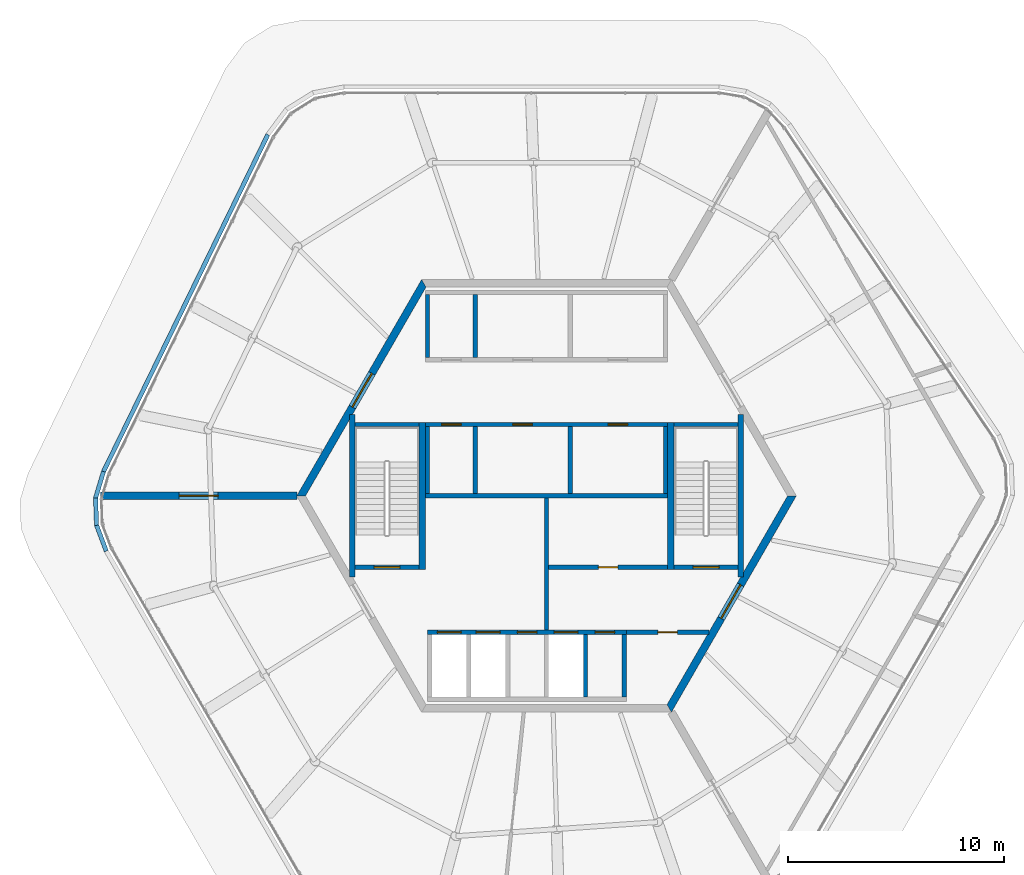
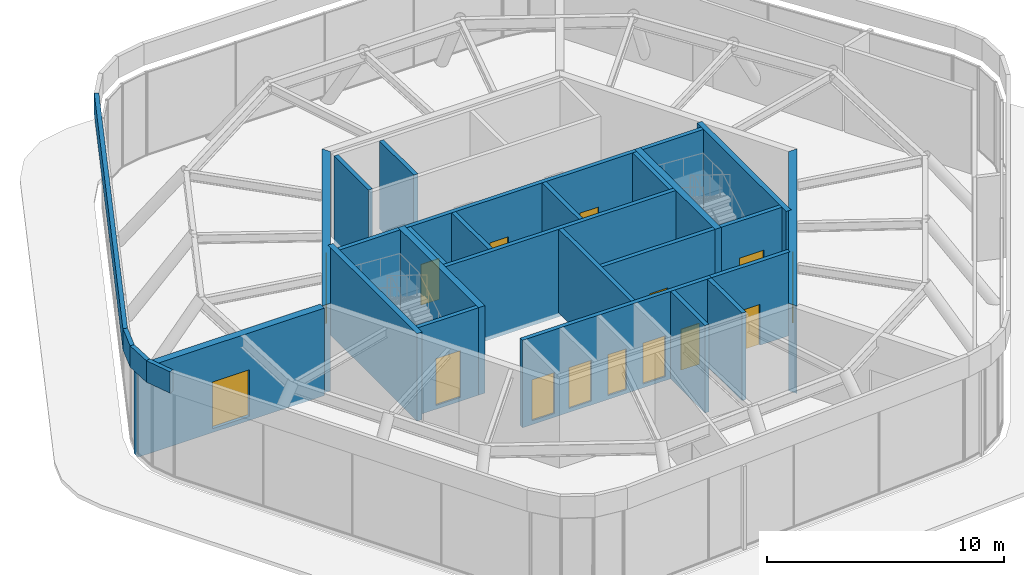
# One storey, part 10 of 12: 29 walls, 15 doors, 15 openings.
"""IFC4 building model written with IfcOpenShell, lengths in metres."""

from ifc_helpers import new_model, si_unit, direction, frame, frame_2d, origin, place, context, subcontext, project, spatial, polyline, rectangle, outline, extrude, material, layer, layer_set, type_object, element, fill, save


model = new_model("IFC4")

# Units and contexts
model_context = context("Model", 3, precision=1e-05, world=origin(), true_north=direction((0.0, 1.0)))
body_context = subcontext(model_context, "Body", "Model", "MODEL_VIEW")
ifc_project = project(units=[si_unit("LENGTHUNIT", "METRE"), si_unit("AREAUNIT", "SQUARE_METRE"), si_unit("VOLUMEUNIT", "CUBIC_METRE"), si_unit("PLANEANGLEUNIT", "RADIAN"), si_unit("MASSUNIT", "GRAM", prefix="KILO")], contexts=[model_context])

# Site, building, storey
site_placement = place(None, origin())
site = spatial("IfcSite", under=ifc_project, at=site_placement, CompositionType="ELEMENT")
building_placement = place(site_placement, origin())
building = spatial("IfcBuilding", under=site, at=building_placement, Name="Tarnside Tower", CompositionType="ELEMENT")
storey_placement = place(building_placement, frame((0.0, 0.0, 392.699951171875)))
storey = spatial("IfcBuildingStorey", under=building, at=storey_placement, Name="L93", CompositionType="ELEMENT", Elevation=392.699951171875)

# Wall, opening, door
ifc_material_1 = material(Name="Concrete C40/50", Category="concrete")
ifc_layer_1 = layer(ifc_material_1, 0.199951171875)
ifc_layer_set_1 = layer_set([ifc_layer_1], Name="Core room partition 200 C40/50")
wall_type_1 = type_object("IfcWallType", Name="Core room partition 200 C40/50", PredefinedType="PARTITIONING", material=ifc_layer_set_1)
wall_1_placement = place(storey_placement, frame((0.10009765625, -3.300048828125, 0.0), z_axis=(0.0, 0.0, 1.0), x_axis=(1.0, 0.0, 0.0)))
wall_1 = element("IfcWall", 1, at=wall_1_placement, inside=storey, type_object=wall_type_1, Name="L93 core partition R3S1", PredefinedType="PARTITIONING", context=body_context, shape_type="SweptSolid", body=[
    extrude(rectangle(XDim=5.5, YDim=0.199951171875, at=frame_2d((2.75, 0.0))), origin(), (0.0, 0.0, 1.0), 4.300048828125),
])
opening_1_placement = place(wall_1_placement, frame((2.300048828125, 0.0, 0.0)))
opening_1 = element("IfcOpeningElement", 2, at=opening_1_placement, cuts=wall_1, Name="Opening CD-room", PredefinedType="OPENING", context=body_context, shape_type="SweptSolid", body=[
    extrude(rectangle(XDim=0.89990234375, YDim=2.10009765625, at=frame_2d((0.449951171875, 1.050048828125))), frame((0.0, 0.10986328125, 0.0), z_axis=(0.0, -1.0, 0.0), x_axis=(1.0, 0.0, 0.0)), (0.0, 0.0, 1.0), 0.219970703125),
])
ifc_material_2 = material(Name="Steel fire door", Category="steel")
door_type_1 = type_object("IfcDoorType", Name="Room door FD60 900x2100", OperationType="NOTDEFINED", PredefinedType="DOOR", material=ifc_material_2)
door_1_placement = place(opening_1_placement, origin())
door_1 = element("IfcDoor", 3, at=door_1_placement, inside=storey, type_object=door_type_1, Name="L93 core room door SR1", OperationType="SINGLE_SWING_LEFT", OverallHeight=2.10009765625, OverallWidth=0.89990234375, PredefinedType="DOOR", context=body_context, shape_type="SweptSolid", body=[
    extrude(rectangle(XDim=0.89990234375, YDim=2.10009765625, at=frame_2d((0.449951171875, 1.050048828125))), frame((0.0, 0.02490234375, 0.0), z_axis=(0.0, -1.0, 0.0), x_axis=(1.0, 0.0, 0.0)), (0.0, 0.0, 1.0), 0.050048828125),
])
fill(opening_1, door_1)

# Wall
wall_2_placement = place(storey_placement, frame((0.0, -6.199951171875, 0.0), z_axis=(0.0, 0.0, 1.0), x_axis=(0.0, 1.0, 0.0)))
element("IfcWall", 4, at=wall_2_placement, inside=storey, type_object=wall_type_1, Name="L93 core partition X0", PredefinedType="PARTITIONING", context=body_context, shape_type="SweptSolid", body=[
    extrude(rectangle(XDim=6.099853515625, YDim=0.199951171875, at=frame_2d((3.0498046875, 0.0))), origin(), (0.0, 0.0, 1.0), 4.300048828125),
])

# Wall, opening, door
wall_3_placement = place(storey_placement, frame((3.699951171875, -6.300048828125, 0.0), z_axis=(0.0, 0.0, 1.0), x_axis=(1.0, 0.0, 0.0)))
wall_3 = element("IfcWall", 5, at=wall_3_placement, inside=storey, type_object=wall_type_1, Name="L93 core partition R4X", PredefinedType="PARTITIONING", context=body_context, shape_type="SweptSolid", body=[
    extrude(rectangle(XDim=3.8056640625, YDim=0.199951171875, at=frame_2d((1.90283203125, 0.0))), origin(), (0.0, 0.0, 1.0), 4.300048828125),
])
opening_2_placement = place(wall_3_placement, frame((1.452880859375, 0.0, 0.0)))
opening_2 = element("IfcOpeningElement", 6, at=opening_2_placement, cuts=wall_3, Name="Opening CD-room", PredefinedType="OPENING", context=body_context, shape_type="SweptSolid", body=[
    extrude(rectangle(XDim=0.89990234375, YDim=2.10009765625, at=frame_2d((0.449951171875, 1.050048828125))), frame((0.0, 0.10986328125, 0.0), z_axis=(0.0, -1.0, 0.0), x_axis=(1.0, 0.0, 0.0)), (0.0, 0.0, 1.0), 0.219970703125),
])
door_2_placement = place(opening_2_placement, origin())
door_2 = element("IfcDoor", 7, at=door_2_placement, inside=storey, type_object=door_type_1, Name="L93 core room door RX", OperationType="SINGLE_SWING_LEFT", OverallHeight=2.10009765625, OverallWidth=0.89990234375, PredefinedType="DOOR", context=body_context, shape_type="SweptSolid", body=[
    extrude(rectangle(XDim=0.89990234375, YDim=2.10009765625, at=frame_2d((0.449951171875, 1.050048828125))), frame((0.0, 0.02490234375, 0.0), z_axis=(0.0, -1.0, 0.0), x_axis=(1.0, 0.0, 0.0)), (0.0, 0.0, 1.0), 0.050048828125),
])
fill(opening_2, door_2)

ifc_material_3 = material(Name="Concrete C50/60", Category="concrete")
ifc_layer_2 = layer(ifc_material_3, 0.35009765625)
ifc_layer_set_2 = layer_set([ifc_layer_2], Name="Core wall Z4 350 C50/60")
wall_type_2 = type_object("IfcWallType", Name="Core wall Z4 350 C50/60", PredefinedType="SHEAR", material=ifc_layer_set_2)
wall_4_placement = place(storey_placement, frame((-5.672607421875, 9.824951171875, -0.199951171875), z_axis=(0.0, 0.0, 1.0), x_axis=(-0.499995046907, -0.866028263435, 0.0)))
wall_4 = element("IfcWall", 8, at=wall_4_placement, inside=storey, type_object=wall_type_2, Name="L93 core wall face 2", PredefinedType="SHEAR", context=body_context, shape_type="SweptSolid", body=[
    extrude(outline(polyline([(-0.10107421875, -0.175048828125), (11.44580078125, -0.175048828125), (11.24365234375, 0.175048828125), (0.10107421875, 0.175048828125), (-0.10107421875, -0.175048828125)])), origin(), (0.0, 0.0, 1.0), 4.5),
])
opening_3_placement = place(wall_4_placement, frame((4.80126953125, 0.0, 0.199951171875)))
opening_3 = element("IfcOpeningElement", 9, at=opening_3_placement, cuts=wall_4, Name="Opening CD-LOB", PredefinedType="OPENING", context=body_context, shape_type="SweptSolid", body=[
    extrude(rectangle(XDim=1.800048828125, YDim=2.39990234375, at=frame_2d((0.89990234375, 1.199951171875))), frame((0.0, 0.18505859375, 0.0), z_axis=(0.0, -1.0, 0.0), x_axis=(1.0, 0.0, 0.0)), (0.0, 0.0, 1.0), 0.3701171875),
])
door_type_2 = type_object("IfcDoorType", Name="Lobby double door FD30S 1800x2400", OperationType="NOTDEFINED", PredefinedType="DOOR", material=ifc_material_2)
door_3_placement = place(opening_3_placement, origin())
door_3 = element("IfcDoor", 10, at=door_3_placement, inside=storey, type_object=door_type_2, Name="L93 core door P1", OperationType="DOUBLE_DOOR_SINGLE_SWING", OverallHeight=2.39990234375, OverallWidth=1.800048828125, PredefinedType="DOOR", context=body_context, shape_type="SweptSolid", body=[
    extrude(rectangle(XDim=1.800048828125, YDim=2.39990234375, at=frame_2d((0.89990234375, 1.199951171875))), frame((0.0, 0.02490234375, 0.0), z_axis=(0.0, -1.0, 0.0), x_axis=(1.0, 0.0, 0.0)), (0.0, 0.0, 1.0), 0.050048828125),
])
fill(opening_3, door_3)

wall_5_placement = place(storey_placement, frame((5.672607421875, -9.824951171875, -0.199951171875), z_axis=(0.0, 0.0, 1.0), x_axis=(0.499995046907, 0.866028263435, 0.0)))
wall_5 = element("IfcWall", 11, at=wall_5_placement, inside=storey, type_object=wall_type_2, Name="L93 core wall face 5", PredefinedType="SHEAR", context=body_context, shape_type="SweptSolid", body=[
    extrude(outline(polyline([(-0.10107421875, -0.175048828125), (11.44580078125, -0.175048828125), (11.24365234375, 0.175048828125), (0.10107421875, 0.175048828125), (-0.10107421875, -0.175048828125)])), origin(), (0.0, 0.0, 1.0), 4.5),
])
opening_4_placement = place(wall_5_placement, frame((4.80126953125, 0.0, 0.199951171875)))
opening_4 = element("IfcOpeningElement", 12, at=opening_4_placement, cuts=wall_5, Name="Opening CD-FFL", PredefinedType="OPENING", context=body_context, shape_type="SweptSolid", body=[
    extrude(rectangle(XDim=1.800048828125, YDim=2.39990234375, at=frame_2d((0.89990234375, 1.199951171875))), frame((0.0, 0.18505859375, 0.0), z_axis=(0.0, -1.0, 0.0), x_axis=(1.0, 0.0, 0.0)), (0.0, 0.0, 1.0), 0.3701171875),
])
door_type_3 = type_object("IfcDoorType", Name="Firefighting lobby double door FD60S 1800x2400", OperationType="NOTDEFINED", PredefinedType="DOOR", material=ifc_material_2)
door_4_placement = place(opening_4_placement, origin())
door_4 = element("IfcDoor", 13, at=door_4_placement, inside=storey, type_object=door_type_3, Name="L93 core door P4", OperationType="DOUBLE_DOOR_SINGLE_SWING", OverallHeight=2.39990234375, OverallWidth=1.800048828125, PredefinedType="DOOR", context=body_context, shape_type="SweptSolid", body=[
    extrude(rectangle(XDim=1.800048828125, YDim=2.39990234375, at=frame_2d((0.89990234375, 1.199951171875))), frame((0.0, 0.02490234375, 0.0), z_axis=(0.0, -1.0, 0.0), x_axis=(1.0, 0.0, 0.0)), (0.0, 0.0, 1.0), 0.050048828125),
])
fill(opening_4, door_4)

wall_6_placement = place(storey_placement, frame((-11.547119140625, 0.0, -0.199951171875), z_axis=(0.0, 0.0, 1.0), x_axis=(-1.0, 0.0, 0.0)))
wall_6 = element("IfcWall", 14, at=wall_6_placement, inside=storey, type_object=wall_type_2, Name="L93 spine wall 2", PredefinedType="SHEAR", context=body_context, shape_type="SweptSolid", body=[
    extrude(rectangle(XDim=9.064697265625, YDim=0.35009765625, at=frame_2d((4.5322265625, 0.0))), origin(), (0.0, 0.0, 1.0), 4.5),
])
opening_5_placement = place(wall_6_placement, frame((3.63232421875, 0.0, 0.199951171875)))
opening_5 = element("IfcOpeningElement", 15, at=opening_5_placement, cuts=wall_6, Name="Opening CD-SPN", PredefinedType="OPENING", context=body_context, shape_type="SweptSolid", body=[
    extrude(rectangle(XDim=1.800048828125, YDim=2.39990234375, at=frame_2d((0.89990234375, 1.199951171875))), frame((0.0, 0.18505859375, 0.0), z_axis=(0.0, -1.0, 0.0), x_axis=(1.0, 0.0, 0.0)), (0.0, 0.0, 1.0), 0.3701171875),
])
door_type_4 = type_object("IfcDoorType", Name="Spine passage double door FD60 1800x2400", OperationType="NOTDEFINED", PredefinedType="DOOR", material=ifc_material_2)
door_5_placement = place(opening_5_placement, origin())
door_5 = element("IfcDoor", 16, at=door_5_placement, inside=storey, type_object=door_type_4, Name="L93 spine passage door 2", OperationType="DOUBLE_DOOR_SINGLE_SWING", OverallHeight=2.39990234375, OverallWidth=1.800048828125, PredefinedType="DOOR", context=body_context, shape_type="SweptSolid", body=[
    extrude(rectangle(XDim=1.800048828125, YDim=2.39990234375, at=frame_2d((0.89990234375, 1.199951171875))), frame((0.0, 0.02490234375, 0.0), z_axis=(0.0, -1.0, 0.0), x_axis=(1.0, 0.0, 0.0)), (0.0, 0.0, 1.0), 0.050048828125),
])
fill(opening_5, door_5)

# Walls
ifc_layer_3 = layer(ifc_material_1, 0.199951171875)
ifc_layer_set_3 = layer_set([ifc_layer_3], Name="Lift shaft wall 200 C40/50")
wall_type_3 = type_object("IfcWallType", Name="Lift shaft wall 200 C40/50", PredefinedType="SHEAR", material=ifc_layer_set_3)
for number, where, z_axis, x_axis, name in (
    (17, (-5.5, 6.39990234375, -0.199951171875), (0.0, 0.0, 1.0), (0.0, 1.0, 0.0), "L93 lift shaft partition R11"),
    (18, (-3.300048828125, 6.39990234375, -0.199951171875), (0.0, 0.0, 1.0), (0.0, 1.0, 0.0), "L93 lift shaft partition R12"),
):
    element("IfcWall", number, at=place(storey_placement, frame(where, z_axis=z_axis, x_axis=x_axis)), inside=storey, type_object=wall_type_3, Name=name, PredefinedType="SHEAR", context=body_context, shape_type="SweptSolid", body=[
        extrude(rectangle(XDim=2.900146484375, YDim=0.199951171875, at=frame_2d((1.4501953125, 0.0))), origin(), (0.0, 0.0, 1.0), 4.5),
    ])

# Wall, openings, doors
wall_7_placement = place(storey_placement, frame((-5.60009765625, 3.300048828125, -0.199951171875), z_axis=(0.0, 0.0, 1.0), x_axis=(1.0, 0.0, 0.0)))
wall_7 = element("IfcWall", 19, at=wall_7_placement, inside=storey, type_object=wall_type_3, Name="L93 lift shaft front wall R2", PredefinedType="SHEAR", context=body_context, shape_type="SweptSolid", body=[
    extrude(rectangle(XDim=11.2001953125, YDim=0.199951171875, at=frame_2d((5.60009765625, 0.0))), origin(), (0.0, 0.0, 1.0), 4.5),
])
opening_6_placement = place(wall_7_placement, frame((0.75, 0.0, 0.199951171875)))
opening_6 = element("IfcOpeningElement", 20, at=opening_6_placement, cuts=wall_7, Name="Opening CD-room", PredefinedType="OPENING", context=body_context, shape_type="SweptSolid", body=[
    extrude(rectangle(XDim=0.89990234375, YDim=2.10009765625, at=frame_2d((0.449951171875, 1.050048828125))), frame((0.0, 0.10986328125, 0.0), z_axis=(0.0, -1.0, 0.0), x_axis=(1.0, 0.0, 0.0)), (0.0, 0.0, 1.0), 0.219970703125),
])
opening_7_placement = place(wall_7_placement, frame((4.050048828125, 0.0, 0.199951171875)))
opening_7 = element("IfcOpeningElement", 21, at=opening_7_placement, cuts=wall_7, Name="Opening CD-room", PredefinedType="OPENING", context=body_context, shape_type="SweptSolid", body=[
    extrude(rectangle(XDim=0.89990234375, YDim=2.10009765625, at=frame_2d((0.449951171875, 1.050048828125))), frame((0.0, 0.10986328125, 0.0), z_axis=(0.0, -1.0, 0.0), x_axis=(1.0, 0.0, 0.0)), (0.0, 0.0, 1.0), 0.219970703125),
])
opening_8_placement = place(wall_7_placement, frame((8.449951171875, 0.0, 0.199951171875)))
opening_8 = element("IfcOpeningElement", 22, at=opening_8_placement, cuts=wall_7, Name="Opening CD-room", PredefinedType="OPENING", context=body_context, shape_type="SweptSolid", body=[
    extrude(rectangle(XDim=0.89990234375, YDim=2.10009765625, at=frame_2d((0.449951171875, 1.050048828125))), frame((0.0, 0.10986328125, 0.0), z_axis=(0.0, -1.0, 0.0), x_axis=(1.0, 0.0, 0.0)), (0.0, 0.0, 1.0), 0.219970703125),
])
door_6_placement = place(opening_6_placement, origin())
door_6 = element("IfcDoor", 23, at=door_6_placement, inside=storey, type_object=door_type_1, Name="L93 core room door FC4", OperationType="SINGLE_SWING_LEFT", OverallHeight=2.10009765625, OverallWidth=0.89990234375, PredefinedType="DOOR", context=body_context, shape_type="SweptSolid", body=[
    extrude(rectangle(XDim=0.89990234375, YDim=2.10009765625, at=frame_2d((0.449951171875, 1.050048828125))), frame((0.0, 0.02490234375, 0.0), z_axis=(0.0, -1.0, 0.0), x_axis=(1.0, 0.0, 0.0)), (0.0, 0.0, 1.0), 0.050048828125),
])
fill(opening_6, door_6)
door_7_placement = place(opening_7_placement, origin())
door_7 = element("IfcDoor", 24, at=door_7_placement, inside=storey, type_object=door_type_1, Name="L93 core room door FC5", OperationType="SINGLE_SWING_LEFT", OverallHeight=2.10009765625, OverallWidth=0.89990234375, PredefinedType="DOOR", context=body_context, shape_type="SweptSolid", body=[
    extrude(rectangle(XDim=0.89990234375, YDim=2.10009765625, at=frame_2d((0.449951171875, 1.050048828125))), frame((0.0, 0.02490234375, 0.0), z_axis=(0.0, -1.0, 0.0), x_axis=(1.0, 0.0, 0.0)), (0.0, 0.0, 1.0), 0.050048828125),
])
fill(opening_7, door_7)
door_8_placement = place(opening_8_placement, origin())
door_8 = element("IfcDoor", 25, at=door_8_placement, inside=storey, type_object=door_type_1, Name="L93 core room door FC6", OperationType="SINGLE_SWING_LEFT", OverallHeight=2.10009765625, OverallWidth=0.89990234375, PredefinedType="DOOR", context=body_context, shape_type="SweptSolid", body=[
    extrude(rectangle(XDim=0.89990234375, YDim=2.10009765625, at=frame_2d((0.449951171875, 1.050048828125))), frame((0.0, 0.02490234375, 0.0), z_axis=(0.0, -1.0, 0.0), x_axis=(1.0, 0.0, 0.0)), (0.0, 0.0, 1.0), 0.050048828125),
])
fill(opening_8, door_8)

# Walls
wall_8_placement = place(storey_placement, frame((-5.60009765625, 0.0, -0.199951171875), z_axis=(0.0, 0.0, 1.0), x_axis=(1.0, 0.0, 0.0)))
element("IfcWall", 26, at=wall_8_placement, inside=storey, type_object=wall_type_3, Name="L93 lift shaft back wall R2", PredefinedType="SHEAR", context=body_context, shape_type="SweptSolid", body=[
    extrude(rectangle(XDim=11.2001953125, YDim=0.199951171875, at=frame_2d((5.60009765625, 0.0))), origin(), (0.0, 0.0, 1.0), 4.5),
])
for number, where, z_axis, x_axis, name in (
    (27, (-5.5, 0.10009765625, -0.199951171875), (0.0, 0.0, 1.0), (0.0, 1.0, 0.0), "L93 lift shaft partition R21"),
    (28, (-3.300048828125, 0.10009765625, -0.199951171875), (0.0, 0.0, 1.0), (0.0, 1.0, 0.0), "L93 lift shaft partition R22"),
    (29, (1.10009765625, 0.10009765625, -0.199951171875), (0.0, 0.0, 1.0), (0.0, 1.0, 0.0), "L93 lift shaft partition R24"),
    (30, (5.5, 0.10009765625, -0.199951171875), (0.0, 0.0, 1.0), (0.0, 1.0, 0.0), "L93 lift shaft partition R26"),
):
    element("IfcWall", number, at=place(storey_placement, frame(where, z_axis=z_axis, x_axis=x_axis)), inside=storey, type_object=wall_type_3, Name=name, PredefinedType="SHEAR", context=body_context, shape_type="SweptSolid", body=[
        extrude(rectangle(XDim=3.099853515625, YDim=0.199951171875, at=frame_2d((1.5498046875, 0.0))), origin(), (0.0, 0.0, 1.0), 4.5),
    ])

# Wall, openings, doors
wall_9_placement = place(storey_placement, frame((-5.5, -6.300048828125, -0.199951171875), z_axis=(0.0, 0.0, 1.0), x_axis=(1.0, 0.0, 0.0)))
wall_9 = element("IfcWall", 31, at=wall_9_placement, inside=storey, type_object=wall_type_3, Name="L93 lift shaft front wall R4", PredefinedType="SHEAR", context=body_context, shape_type="SweptSolid", body=[
    extrude(rectangle(XDim=9.199951171875, YDim=0.199951171875, at=frame_2d((4.60009765625, 0.0))), origin(), (0.0, 0.0, 1.0), 4.5),
])
opening_9_placement = place(wall_9_placement, frame((4.14990234375, 0.0, 0.199951171875)))
opening_9 = element("IfcOpeningElement", 32, at=opening_9_placement, cuts=wall_9, Name="Opening CD-room", PredefinedType="OPENING", context=body_context, shape_type="SweptSolid", body=[
    extrude(rectangle(XDim=0.89990234375, YDim=2.10009765625, at=frame_2d((0.449951171875, 1.050048828125))), frame((0.0, 0.10986328125, 0.0), z_axis=(0.0, -1.0, 0.0), x_axis=(1.0, 0.0, 0.0)), (0.0, 0.0, 1.0), 0.219970703125),
])
opening_10_placement = place(wall_9_placement, frame((7.75, 0.0, 0.199951171875)))
opening_10 = element("IfcOpeningElement", 33, at=opening_10_placement, cuts=wall_9, Name="Opening CD-room", PredefinedType="OPENING", context=body_context, shape_type="SweptSolid", body=[
    extrude(rectangle(XDim=0.89990234375, YDim=2.10009765625, at=frame_2d((0.449951171875, 1.050048828125))), frame((0.0, 0.10986328125, 0.0), z_axis=(0.0, -1.0, 0.0), x_axis=(1.0, 0.0, 0.0)), (0.0, 0.0, 1.0), 0.219970703125),
])
opening_11_placement = place(wall_9_placement, frame((0.449951171875, 0.0, 0.199951171875)))
opening_11 = element("IfcOpeningElement", 34, at=opening_11_placement, cuts=wall_9, Name="Opening LDF", PredefinedType="OPENING", context=body_context, shape_type="SweptSolid", body=[
    extrude(rectangle(XDim=1.10009765625, YDim=2.10009765625, at=frame_2d((0.550048828125, 1.050048828125))), frame((0.0, 0.10986328125, 0.0), z_axis=(0.0, -1.0, 0.0), x_axis=(1.0, 0.0, 0.0)), (0.0, 0.0, 1.0), 0.219970703125),
])
opening_12_placement = place(wall_9_placement, frame((2.25, 0.0, 0.199951171875)))
opening_12 = element("IfcOpeningElement", 35, at=opening_12_placement, cuts=wall_9, Name="Opening LDF", PredefinedType="OPENING", context=body_context, shape_type="SweptSolid", body=[
    extrude(rectangle(XDim=1.10009765625, YDim=2.10009765625, at=frame_2d((0.550048828125, 1.050048828125))), frame((0.0, 0.10986328125, 0.0), z_axis=(0.0, -1.0, 0.0), x_axis=(1.0, 0.0, 0.0)), (0.0, 0.0, 1.0), 0.219970703125),
])
opening_13_placement = place(wall_9_placement, frame((5.85009765625, 0.0, 0.199951171875)))
opening_13 = element("IfcOpeningElement", 36, at=opening_13_placement, cuts=wall_9, Name="Opening LDF", PredefinedType="OPENING", context=body_context, shape_type="SweptSolid", body=[
    extrude(rectangle(XDim=1.10009765625, YDim=2.10009765625, at=frame_2d((0.550048828125, 1.050048828125))), frame((0.0, 0.10986328125, 0.0), z_axis=(0.0, -1.0, 0.0), x_axis=(1.0, 0.0, 0.0)), (0.0, 0.0, 1.0), 0.219970703125),
])
ifc_material_4 = material(Name="Stainless steel", Category="steel")
door_type_5 = type_object("IfcDoorType", Name="Lift landing door 1100x2100 EI 120", OperationType="NOTDEFINED", PredefinedType="DOOR", material=ifc_material_4)
door_9_placement = place(opening_11_placement, origin())
door_9 = element("IfcDoor", 37, at=door_9_placement, inside=storey, type_object=door_type_5, Name="Firefighting lift 1 landing door L93", OperationType="SLIDING_TO_LEFT", OverallHeight=2.10009765625, OverallWidth=1.10009765625, PredefinedType="DOOR", context=body_context, shape_type="SweptSolid", body=[
    extrude(rectangle(XDim=1.10009765625, YDim=2.10009765625, at=frame_2d((0.550048828125, 1.050048828125))), frame((0.0, 0.02490234375, 0.0), z_axis=(0.0, -1.0, 0.0), x_axis=(1.0, 0.0, 0.0)), (0.0, 0.0, 1.0), 0.050048828125),
])
fill(opening_11, door_9)
door_10_placement = place(opening_12_placement, origin())
door_10 = element("IfcDoor", 38, at=door_10_placement, inside=storey, type_object=door_type_5, Name="Firefighting lift 2 landing door L93", OperationType="SLIDING_TO_LEFT", OverallHeight=2.10009765625, OverallWidth=1.10009765625, PredefinedType="DOOR", context=body_context, shape_type="SweptSolid", body=[
    extrude(rectangle(XDim=1.10009765625, YDim=2.10009765625, at=frame_2d((0.550048828125, 1.050048828125))), frame((0.0, 0.02490234375, 0.0), z_axis=(0.0, -1.0, 0.0), x_axis=(1.0, 0.0, 0.0)), (0.0, 0.0, 1.0), 0.050048828125),
])
fill(opening_12, door_10)
door_11_placement = place(opening_13_placement, origin())
door_11 = element("IfcDoor", 39, at=door_11_placement, inside=storey, type_object=door_type_5, Name="Firefighting lift 4 landing door L93", OperationType="SLIDING_TO_LEFT", OverallHeight=2.10009765625, OverallWidth=1.10009765625, PredefinedType="DOOR", context=body_context, shape_type="SweptSolid", body=[
    extrude(rectangle(XDim=1.10009765625, YDim=2.10009765625, at=frame_2d((0.550048828125, 1.050048828125))), frame((0.0, 0.02490234375, 0.0), z_axis=(0.0, -1.0, 0.0), x_axis=(1.0, 0.0, 0.0)), (0.0, 0.0, 1.0), 0.050048828125),
])
fill(opening_13, door_11)
door_12_placement = place(opening_9_placement, origin())
door_12 = element("IfcDoor", 40, at=door_12_placement, inside=storey, type_object=door_type_1, Name="L93 core room door FC7", OperationType="SINGLE_SWING_LEFT", OverallHeight=2.10009765625, OverallWidth=0.89990234375, PredefinedType="DOOR", context=body_context, shape_type="SweptSolid", body=[
    extrude(rectangle(XDim=0.89990234375, YDim=2.10009765625, at=frame_2d((0.449951171875, 1.050048828125))), frame((0.0, 0.02490234375, 0.0), z_axis=(0.0, -1.0, 0.0), x_axis=(1.0, 0.0, 0.0)), (0.0, 0.0, 1.0), 0.050048828125),
])
fill(opening_9, door_12)
door_13_placement = place(opening_10_placement, origin())
door_13 = element("IfcDoor", 41, at=door_13_placement, inside=storey, type_object=door_type_1, Name="L93 core room door FC8", OperationType="SINGLE_SWING_LEFT", OverallHeight=2.10009765625, OverallWidth=0.89990234375, PredefinedType="DOOR", context=body_context, shape_type="SweptSolid", body=[
    extrude(rectangle(XDim=0.89990234375, YDim=2.10009765625, at=frame_2d((0.449951171875, 1.050048828125))), frame((0.0, 0.02490234375, 0.0), z_axis=(0.0, -1.0, 0.0), x_axis=(1.0, 0.0, 0.0)), (0.0, 0.0, 1.0), 0.050048828125),
])
fill(opening_10, door_13)

# Walls
for number, where, z_axis, x_axis, name in (
    (42, (1.800048828125, -9.300048828125, -0.199951171875), (0.0, 0.0, 1.0), (0.0, 1.0, 0.0), "L93 lift shaft partition R45"),
    (43, (3.60009765625, -9.300048828125, -0.199951171875), (0.0, 0.0, 1.0), (0.0, 1.0, 0.0), "L93 lift shaft partition R46"),
):
    element("IfcWall", number, at=place(storey_placement, frame(where, z_axis=z_axis, x_axis=x_axis)), inside=storey, type_object=wall_type_3, Name=name, PredefinedType="SHEAR", context=body_context, shape_type="SweptSolid", body=[
        extrude(rectangle(XDim=2.900146484375, YDim=0.199951171875, at=frame_2d((1.4501953125, 0.0))), origin(), (0.0, 0.0, 1.0), 4.5),
    ])
wall_10_placement = place(storey_placement, frame((5.89990234375, 3.300048828125, -0.199951171875), z_axis=(0.0, 0.0, 1.0), x_axis=(1.0, 0.0, 0.0)))
element("IfcWall", 44, at=wall_10_placement, inside=storey, type_object=wall_type_3, Name="L93 stair 1 enclosure cap wall n", PredefinedType="SHEAR", context=body_context, shape_type="SweptSolid", body=[
    extrude(rectangle(XDim=2.9501953125, YDim=0.199951171875, at=frame_2d((1.47509765625, 0.0))), origin(), (0.0, 0.0, 1.0), 4.5),
])

# Wall, opening, door
wall_11_placement = place(storey_placement, frame((5.89990234375, -3.300048828125, -0.199951171875), z_axis=(0.0, 0.0, 1.0), x_axis=(1.0, 0.0, 0.0)))
wall_11 = element("IfcWall", 45, at=wall_11_placement, inside=storey, type_object=wall_type_3, Name="L93 stair 1 enclosure cap wall s", PredefinedType="SHEAR", context=body_context, shape_type="SweptSolid", body=[
    extrude(rectangle(XDim=2.9501953125, YDim=0.199951171875, at=frame_2d((1.47509765625, 0.0))), origin(), (0.0, 0.0, 1.0), 4.5),
])
opening_14_placement = place(wall_11_placement, frame((0.875, 0.0, 0.199951171875)))
opening_14 = element("IfcOpeningElement", 46, at=opening_14_placement, cuts=wall_11, Name="Opening CD-STR", PredefinedType="OPENING", context=body_context, shape_type="SweptSolid", body=[
    extrude(rectangle(XDim=1.199951171875, YDim=2.39990234375, at=frame_2d((0.60009765625, 1.199951171875))), frame((0.0, 0.10986328125, 0.0), z_axis=(0.0, -1.0, 0.0), x_axis=(1.0, 0.0, 0.0)), (0.0, 0.0, 1.0), 0.219970703125),
])
door_type_6 = type_object("IfcDoorType", Name="Stair door FD60S 1200x2400", OperationType="NOTDEFINED", PredefinedType="DOOR", material=ifc_material_2)
door_14_placement = place(opening_14_placement, origin())
door_14 = element("IfcDoor", 47, at=door_14_placement, inside=storey, type_object=door_type_6, Name="L93 stair 1 door", OperationType="SINGLE_SWING_LEFT", OverallHeight=2.39990234375, OverallWidth=1.199951171875, PredefinedType="DOOR", context=body_context, shape_type="SweptSolid", body=[
    extrude(rectangle(XDim=1.199951171875, YDim=2.39990234375, at=frame_2d((0.60009765625, 1.199951171875))), frame((0.0, 0.02490234375, 0.0), z_axis=(0.0, -1.0, 0.0), x_axis=(1.0, 0.0, 0.0)), (0.0, 0.0, 1.0), 0.050048828125),
])
fill(opening_14, door_14)

# Wall
wall_12_placement = place(storey_placement, frame((-8.85009765625, 3.300048828125, -0.199951171875), z_axis=(0.0, 0.0, 1.0), x_axis=(1.0, 0.0, 0.0)))
element("IfcWall", 48, at=wall_12_placement, inside=storey, type_object=wall_type_3, Name="L93 stair 2 enclosure cap wall n", PredefinedType="SHEAR", context=body_context, shape_type="SweptSolid", body=[
    extrude(rectangle(XDim=2.9501953125, YDim=0.199951171875, at=frame_2d((1.47509765625, 0.0))), origin(), (0.0, 0.0, 1.0), 4.5),
])

# Wall, opening, door
wall_13_placement = place(storey_placement, frame((-8.85009765625, -3.300048828125, -0.199951171875), z_axis=(0.0, 0.0, 1.0), x_axis=(1.0, 0.0, 0.0)))
wall_13 = element("IfcWall", 49, at=wall_13_placement, inside=storey, type_object=wall_type_3, Name="L93 stair 2 enclosure cap wall s", PredefinedType="SHEAR", context=body_context, shape_type="SweptSolid", body=[
    extrude(rectangle(XDim=2.9501953125, YDim=0.199951171875, at=frame_2d((1.47509765625, 0.0))), origin(), (0.0, 0.0, 1.0), 4.5),
])
opening_15_placement = place(wall_13_placement, frame((0.875, 0.0, 0.199951171875)))
opening_15 = element("IfcOpeningElement", 50, at=opening_15_placement, cuts=wall_13, Name="Opening CD-STR", PredefinedType="OPENING", context=body_context, shape_type="SweptSolid", body=[
    extrude(rectangle(XDim=1.199951171875, YDim=2.39990234375, at=frame_2d((0.60009765625, 1.199951171875))), frame((0.0, 0.10986328125, 0.0), z_axis=(0.0, -1.0, 0.0), x_axis=(1.0, 0.0, 0.0)), (0.0, 0.0, 1.0), 0.219970703125),
])
door_15_placement = place(opening_15_placement, origin())
door_15 = element("IfcDoor", 51, at=door_15_placement, inside=storey, type_object=door_type_6, Name="L93 stair 2 door", OperationType="SINGLE_SWING_LEFT", OverallHeight=2.39990234375, OverallWidth=1.199951171875, PredefinedType="DOOR", context=body_context, shape_type="SweptSolid", body=[
    extrude(rectangle(XDim=1.199951171875, YDim=2.39990234375, at=frame_2d((0.60009765625, 1.199951171875))), frame((0.0, 0.02490234375, 0.0), z_axis=(0.0, -1.0, 0.0), x_axis=(1.0, 0.0, 0.0)), (0.0, 0.0, 1.0), 0.050048828125),
])
fill(opening_15, door_15)

# Walls
ifc_material_5 = material(Name="Concrete C35/45 precast", Category="concrete")
ifc_layer_4 = layer(ifc_material_5, 0.199951171875)
ifc_layer_set_4 = layer_set([ifc_layer_4], Name="Parapet 200 x 1100")
wall_type_4 = type_object("IfcWallType", Name="Parapet 200 x 1100", PredefinedType="PARAPET", material=ifc_layer_set_4)
wall_14_placement = place(storey_placement, frame((-20.3515625, -2.550048828125, 4.5), z_axis=(0.0, 0.0, 1.0), x_axis=(-0.352930531417, 0.935649528399, 0.0)))
element("IfcWall", 52, at=wall_14_placement, inside=storey, type_object=wall_type_4, Name="Roof parapet 17", PredefinedType="PARAPET", context=body_context, shape_type="SweptSolid", body=[
    extrude(outline(polyline([(0.008056640625, -0.10009765625), (1.25634765625, -0.10009765625), (1.2890625, 0.10009765625), (-0.008056640625, 0.10009765625), (0.008056640625, -0.10009765625)])), origin(), (0.0, 0.0, 1.0), 1.10009765625),
])
wall_15_placement = place(storey_placement, frame((-20.80078125, -1.359130859375, 4.5), z_axis=(0.0, 0.0, 1.0), x_axis=(-0.034940984606, 0.999389377367, 0.0)))
element("IfcWall", 53, at=wall_15_placement, inside=storey, type_object=wall_type_4, Name="Roof parapet 18", PredefinedType="PARAPET", context=body_context, shape_type="SweptSolid", body=[
    extrude(outline(polyline([(0.016357421875, -0.10009765625), (1.248291015625, -0.10009765625), (1.281005859375, 0.10009765625), (-0.016357421875, 0.10009765625), (0.016357421875, -0.10009765625)])), origin(), (0.0, 0.0, 1.0), 1.10009765625),
])
wall_16_placement = place(storey_placement, frame((-20.844970703125, -0.09521484375, 4.5), z_axis=(0.0, 0.0, 1.0), x_axis=(0.286784667578, 0.957995070156, 0.0)))
element("IfcWall", 54, at=wall_16_placement, inside=storey, type_object=wall_type_4, Name="Roof parapet 19", PredefinedType="PARAPET", context=body_context, shape_type="SweptSolid", body=[
    extrude(outline(polyline([(0.016357421875, -0.10009765625), (1.2646484375, -0.10009765625), (1.28076171875, 0.10009765625), (-0.016357421875, 0.10009765625), (0.016357421875, -0.10009765625)])), origin(), (0.0, 0.0, 1.0), 1.10009765625),
])
wall_17_placement = place(storey_placement, frame((-20.47998046875, 1.1240234375, 4.5), z_axis=(0.0, 0.0, 1.0), x_axis=(0.438379225437, 0.898790106034, 0.0)))
element("IfcWall", 55, at=wall_17_placement, inside=storey, type_object=wall_type_4, Name="Roof parapet 20", PredefinedType="PARAPET", context=body_context, shape_type="SweptSolid", body=[
    extrude(outline(polyline([(0.008056640625, -0.10009765625), (17.322021484375, -0.10009765625), (17.340576171875, 0.10009765625), (-0.008056640625, 0.10009765625), (0.008056640625, -0.10009765625)])), origin(), (0.0, 0.0, 1.0), 1.10009765625),
])
ifc_layer_5 = layer(ifc_material_1, 0.25)
ifc_layer_set_5 = layer_set([ifc_layer_5], Name="Stair enclosure wall 250 C40/50")
wall_type_5 = type_object("IfcWallType", Name="Stair enclosure wall 250 C40/50", PredefinedType="SHEAR", material=ifc_layer_set_5)
for number, where, z_axis, x_axis, name in (
    (56, (8.97509765625, -3.7548828125, -0.199951171875), (0.0, 0.0, 1.0), (0.0, 1.0, 0.0), "L93 stair 1 enclosure wall outer"),
    (57, (-8.97509765625, -3.7548828125, -0.199951171875), (0.0, 0.0, 1.0), (0.0, 1.0, 0.0), "L93 stair 2 enclosure wall outer"),
):
    element("IfcWall", number, at=place(storey_placement, frame(where, z_axis=z_axis, x_axis=x_axis)), inside=storey, type_object=wall_type_5, Name=name, PredefinedType="SHEAR", context=body_context, shape_type="SweptSolid", body=[
        extrude(rectangle(XDim=7.509765625, YDim=0.25, at=frame_2d((3.7548828125, 0.0))), origin(), (0.0, 0.0, 1.0), 4.5),
    ])
ifc_layer_6 = layer(ifc_material_1, 0.300048828125)
ifc_layer_set_6 = layer_set([ifc_layer_6], Name="Stair enclosure wall 300 C40/50")
wall_type_6 = type_object("IfcWallType", Name="Stair enclosure wall 300 C40/50", PredefinedType="SHEAR", material=ifc_layer_set_6)
for number, where, z_axis, x_axis, name in (
    (58, (5.75, -3.39990234375, -0.199951171875), (0.0, 0.0, 1.0), (0.0, 1.0, 0.0), "L93 stair 1 enclosure wall inner"),
    (59, (-5.75, -3.39990234375, -0.199951171875), (0.0, 0.0, 1.0), (0.0, 1.0, 0.0), "L93 stair 2 enclosure wall inner"),
):
    element("IfcWall", number, at=place(storey_placement, frame(where, z_axis=z_axis, x_axis=x_axis)), inside=storey, type_object=wall_type_6, Name=name, PredefinedType="SHEAR", context=body_context, shape_type="SweptSolid", body=[
        extrude(rectangle(XDim=6.7998046875, YDim=0.300048828125, at=frame_2d((3.39990234375, 0.0))), origin(), (0.0, 0.0, 1.0), 4.5),
    ])

save(model, "model.ifc")
